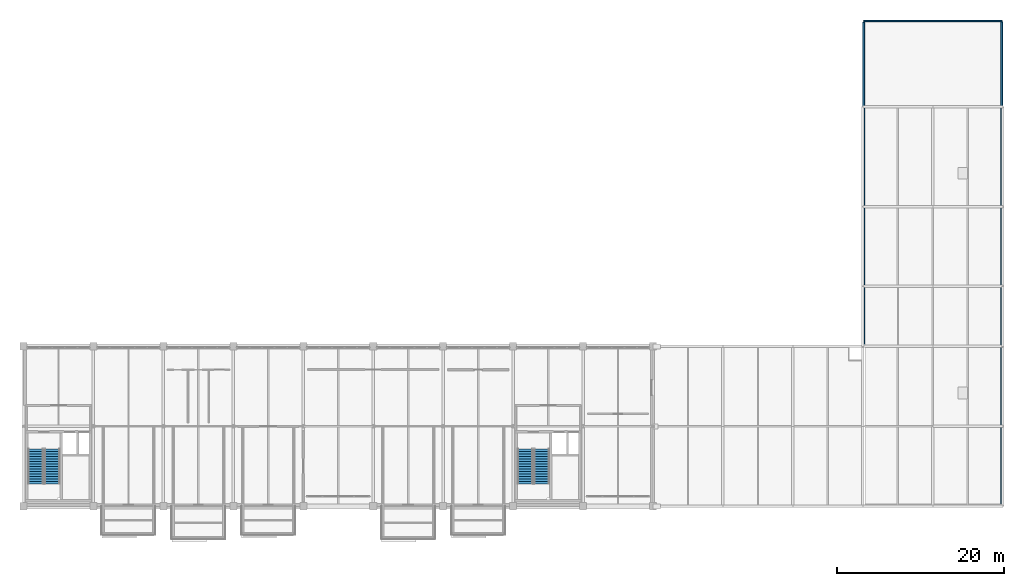
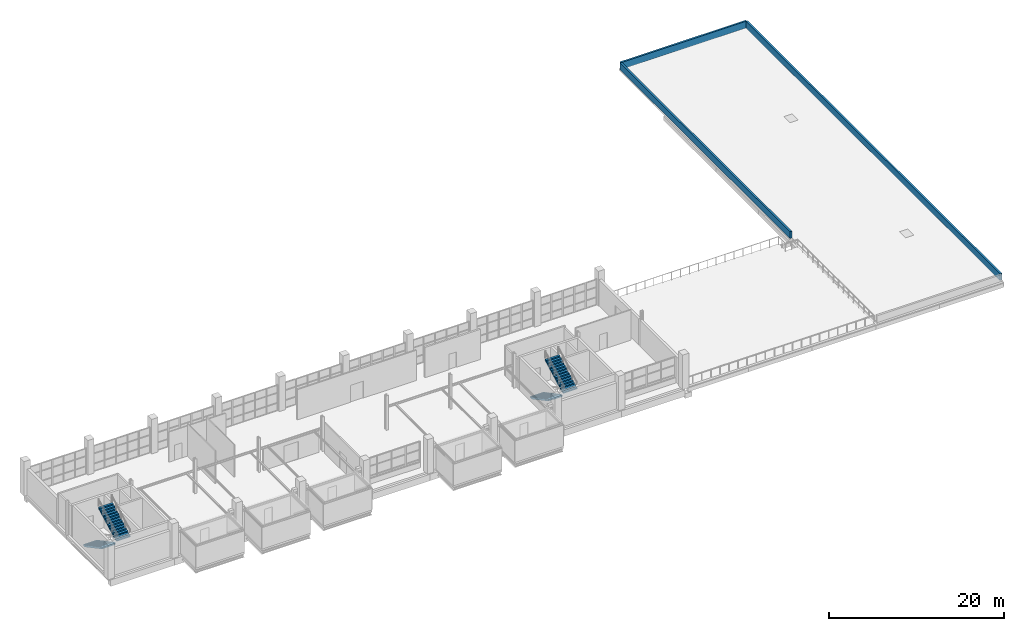
# One storey, part 26 of 29: 4 stair flights, 3 walls, 2 elements without a shape of their own.
"""IFC4 building model written with IfcOpenShell, lengths in metres."""

import ifcopenshell
import ifcopenshell.guid

model = None  # the IFC model being written
_history = None  # IfcOwnerHistory: only IFC2X3 demands one
_inside = {}  # id of a spatial element -> (the spatial element, [elements in it])
_under = {}  # id of a project, library or spatial element -> (it, [spatial elements below it])
_declared = {}  # id of a project -> (the project, [libraries it declares])
_typed = {}  # id of a type object -> (the type object, [elements of that type])
_made_of = {}  # id of a material, layer set ... -> (it, [elements and type objects made of it])


def new_model(schema):
    """Start an empty IFC model of exactly this schema.

    Asked for "IFC4X3", IfcOpenShell would pick the latest addendum, in which some entities
    have other attributes; the version numbers below select the first issue.
    IFC2X3 requires an IfcOwnerHistory on every rooted entity: one is made here for all.
    """
    global model, _history
    if schema == "IFC4X3":
        model = ifcopenshell.file(schema_version=(4, 3, 0, 0))
    else:
        model = ifcopenshell.file(schema=schema)
    _inside.clear()
    _under.clear()
    _declared.clear()
    _typed.clear()
    _made_of.clear()
    _history = None
    if model.schema == "IFC2X3":
        org = make("IfcOrganization", Name="unknown")
        user = make(
            "IfcPersonAndOrganization",
            ThePerson=make("IfcPerson", FamilyName="unknown"),
            TheOrganization=org,
        )
        app = make(
            "IfcApplication",
            ApplicationDeveloper=org,
            Version="unknown",
            ApplicationFullName="unknown",
            ApplicationIdentifier="unknown",
        )
        _history = make(
            "IfcOwnerHistory",
            OwningUser=user,
            OwningApplication=app,
            ChangeAction="ADDED",
            CreationDate=0,
        )
    return model


def make(cls, **values):
    """One entity of the class cls with the attributes given. An attribute that is None is left unset."""
    return model.create_entity(
        cls, **{name: value for name, value in values.items() if value is not None}
    )


def rooted(cls, **values):
    """An entity with a GlobalId (a new one), such as an element, a storey or a relation."""
    return make(cls, GlobalId=ifcopenshell.guid.new(), OwnerHistory=_history, **values)


def si_unit(unit_type, name, prefix=None):
    """IfcSIUnit, for example si_unit("LENGTHUNIT", "METRE", prefix="MILLI")."""
    return make("IfcSIUnit", UnitType=unit_type, Prefix=prefix, Name=name)


def assignment(units):
    """IfcUnitAssignment: the units of a project."""
    return None if units is None else make("IfcUnitAssignment", Units=units)


def point(xyz):
    """IfcCartesianPoint."""
    return None if xyz is None else make("IfcCartesianPoint", Coordinates=xyz)


def direction(xyz):
    """IfcDirection."""
    return None if xyz is None else make("IfcDirection", DirectionRatios=xyz)


def frame(location, z_axis=None, x_axis=None):
    """IfcAxis2Placement3D, a coordinate frame: its origin and axes. An axis left out is left unset."""
    return make(
        "IfcAxis2Placement3D",
        Location=point(location),
        Axis=direction(z_axis),
        RefDirection=direction(x_axis),
    )


def frame_2d(location, x_axis=None):
    """IfcAxis2Placement2D, a coordinate frame in the plane: its origin and x axis."""
    return make(
        "IfcAxis2Placement2D", Location=point(location), RefDirection=direction(x_axis)
    )


def origin():
    """The frame at (0, 0, 0) with its axes left unset."""
    return frame((0.0, 0.0, 0.0))


def place(relative_to, where):
    """IfcLocalPlacement: puts the frame where relative to a parent placement (None: the world)."""
    return make(
        "IfcLocalPlacement", PlacementRelTo=relative_to, RelativePlacement=where
    )


def context(
    kind, dimensions, precision=None, world=None, true_north=None, identifier=None
):
    """IfcGeometricRepresentationContext, for example the 3D "Model" context."""
    return make(
        "IfcGeometricRepresentationContext",
        ContextIdentifier=identifier,
        ContextType=kind,
        CoordinateSpaceDimension=dimensions,
        Precision=precision,
        WorldCoordinateSystem=world,
        TrueNorth=true_north,
    )


def subcontext(parent, identifier, kind, view, scale=None):
    """IfcGeometricRepresentationSubContext, for example "Body" below "Model"."""
    return make(
        "IfcGeometricRepresentationSubContext",
        ContextIdentifier=identifier,
        ContextType=kind,
        ParentContext=parent,
        TargetScale=scale,
        TargetView=view,
    )


def project(units=None, contexts=None):
    """IfcProject with its units and contexts."""
    return rooted(
        "IfcProject",
        Name="project",
        RepresentationContexts=contexts,
        UnitsInContext=assignment(units),
    )


def spatial(cls, under=None, at=None, **own):
    """A site, building, storey or space (cls), placed at a placement, below another one or the project."""
    s = rooted(cls, ObjectPlacement=at, **own)
    if under is not None:
        _under.setdefault(under.id(), (under, []))[1].append(s)
    return s


def polyline(points):
    """IfcPolyline through the points."""
    return make("IfcPolyline", Points=[point(p) for p in points])


def profile(cls, at=None, kind="AREA", **sizes):
    """A parametric profile (cls). Its sizes go by their IFC names, for example OverallWidth=200.0."""
    return make(cls, ProfileType=kind, Position=at, **sizes)


def rectangle(**sizes):
    """IfcRectangleProfileDef."""
    return profile("IfcRectangleProfileDef", **sizes)


def outline(outer, holes=None, kind="AREA"):
    """IfcArbitraryClosedProfileDef: a profile drawn as a closed curve; with holes, ...WithVoids."""
    if holes is None:
        return make("IfcArbitraryClosedProfileDef", ProfileType=kind, OuterCurve=outer)
    return make(
        "IfcArbitraryProfileDefWithVoids",
        ProfileType=kind,
        OuterCurve=outer,
        InnerCurves=holes,
    )


def extrude(swept, where, along, depth):
    """IfcExtrudedAreaSolid: the profile swept, set in the frame where, extruded along a direction by depth."""
    return make(
        "IfcExtrudedAreaSolid",
        SweptArea=swept,
        Position=where,
        ExtrudedDirection=direction(along),
        Depth=depth,
    )


def shape(context_of_items, identifier, shape_type, items):
    """IfcShapeRepresentation: the items that make up one representation, for example the "Body"."""
    return make(
        "IfcShapeRepresentation",
        ContextOfItems=context_of_items,
        RepresentationIdentifier=identifier,
        RepresentationType=shape_type,
        Items=items,
    )


def material(Name=None, Category=None):
    """IfcMaterial."""
    return make("IfcMaterial", Name=Name, Category=Category)


def layer(
    of_material, thickness, ventilated=None, Name=None, Category=None, Priority=None
):
    """IfcMaterialLayer: one layer of a wall or slab, of a material (None: an air gap)."""
    return make(
        "IfcMaterialLayer",
        Material=of_material,
        LayerThickness=thickness,
        IsVentilated=ventilated,
        Name=Name,
        Category=Category,
        Priority=Priority,
    )


def layer_set(layers, Name=None):
    """IfcMaterialLayerSet."""
    return make("IfcMaterialLayerSet", MaterialLayers=layers, LayerSetName=Name)


def made_of(thing, what):
    """Note that an element or type object is made of a material, layer set ...; save() writes the relation."""
    if what is not None:
        _made_of.setdefault(what.id(), (what, []))[1].append(thing)
    return thing


def type_object(cls, material=None, **own):
    """A type object (cls), such as IfcWallType, which elements share."""
    return made_of(rooted(cls, **own), material)


def element(
    cls,
    number,
    at=None,
    inside=None,
    cuts=None,
    type_object=None,
    material=None,
    context=None,
    identifier="Body",
    shape_type=None,
    held_by="IfcProductDefinitionShape",
    body=None,
    shapes=None,
    **own,
):
    """One element of the class cls, such as IfcWall. Its Tag is "e" and its number.

    at: its placement. inside: the storey or other place that contains it. cuts: it is an
    opening in that element (IfcRelVoidsElement). A single representation is given by context,
    identifier, shape_type and body (its items); several are given by shapes. held_by: the class
    of the entity that holds the representations. save() writes the other relations.
    """
    e = rooted(cls, Tag="e%d" % number, ObjectPlacement=at, **own)
    if body is not None:
        shapes = [shape(context, identifier, shape_type, body)]
    if shapes is not None:
        e.Representation = make(held_by, Representations=shapes)
    if inside is not None:
        _inside.setdefault(inside.id(), (inside, []))[1].append(e)
    if cuts is not None:
        rooted(
            "IfcRelVoidsElement", RelatingBuildingElement=cuts, RelatedOpeningElement=e
        )
    if type_object is not None:
        _typed.setdefault(type_object.id(), (type_object, []))[1].append(e)
    return made_of(e, material)


def aggregate(whole, parts):
    """IfcRelAggregates: a whole, such as a stair, and the parts it consists of."""
    return rooted("IfcRelAggregates", RelatingObject=whole, RelatedObjects=parts)


def save(model, path):
    """Write the relations noted so far, then the file.

    IfcRelAggregates (storeys below a building ...), IfcRelContainedInSpatialStructure (elements
    in a storey), IfcRelDefinesByType, IfcRelAssociatesMaterial and IfcRelDeclares: one each for
    every whole, place, type object, material and project.
    """
    for whole, parts in _under.values():
        aggregate(whole, parts)
    for where, things in _inside.values():
        rooted(
            "IfcRelContainedInSpatialStructure",
            RelatedElements=things,
            RelatingStructure=where,
        )
    for kind, things in _typed.values():
        rooted("IfcRelDefinesByType", RelatedObjects=things, RelatingType=kind)
    for what, things in _made_of.values():
        rooted("IfcRelAssociatesMaterial", RelatedObjects=things, RelatingMaterial=what)
    for by, libraries in _declared.values():
        rooted("IfcRelDeclares", RelatingContext=by, RelatedDefinitions=libraries)
    model.write(path)


model = new_model("IFC4")

# Units and contexts
model_context = context("Model", 3, precision=1e-05, world=origin(), true_north=direction((0.0, 1.0)))
body_context = subcontext(model_context, "Body", "Model", "MODEL_VIEW")
ifc_project = project(units=[si_unit("LENGTHUNIT", "METRE"), si_unit("AREAUNIT", "SQUARE_METRE"), si_unit("VOLUMEUNIT", "CUBIC_METRE"), si_unit("PLANEANGLEUNIT", "RADIAN"), si_unit("MASSUNIT", "GRAM", prefix="KILO")], contexts=[model_context])

# Site, building, storey
site_placement = place(None, origin())
site = spatial("IfcSite", under=ifc_project, at=site_placement, CompositionType="ELEMENT")
building_placement = place(site_placement, origin())
building = spatial("IfcBuilding", under=site, at=building_placement, Name="Veltarok Museum of Natural Sciences", CompositionType="ELEMENT")
storey_placement = place(building_placement, frame((0.0, 0.0, 26.39990234375)))
storey = spatial("IfcBuildingStorey", under=building, at=storey_placement, Name="L05", CompositionType="ELEMENT", Elevation=26.39990234375)

# Walls
ifc_material = material(Name="Precast concrete C40/50", Category="concrete")
ifc_layer = layer(ifc_material, 0.239990234375)
ifc_layer_set = layer_set([ifc_layer], Name="Precast concrete C40/50")
wall_type = type_object("IfcWallType", Name="Flat Roof Concrete Parapet Wall 240", PredefinedType="PARAPET", material=ifc_layer_set)
wall_1_placement = place(storey_placement, frame((149.080078125, 0.239990234375, 0.0), z_axis=(0.0, 0.0, 1.0), x_axis=(0.0, 1.0, 0.0)))
element("IfcWall", 1, at=wall_1_placement, inside=storey, type_object=wall_type, Name="Roof Parapet Wall L05-19", PredefinedType="PARAPET", context=body_context, shape_type="SweptSolid", body=[
    extrude(rectangle(XDim=57.919921875, YDim=0.239990234375, at=frame_2d((28.9599609375, 0.0))), origin(), (0.0, 0.0, 1.0), 0.9501953125),
])
wall_2_placement = place(storey_placement, frame((132.52001953125, 58.280029296875, 0.0), z_axis=(0.0, 0.0, 1.0), x_axis=(1.0, 0.0, 0.0)))
element("IfcWall", 2, at=wall_2_placement, inside=storey, type_object=wall_type, Name="Roof Parapet Wall L05-20", PredefinedType="PARAPET", context=body_context, shape_type="SweptSolid", body=[
    extrude(rectangle(XDim=16.56005859375, YDim=0.239990234375, at=frame_2d((8.280029296875, 0.0))), origin(), (0.0, 0.0, 1.0), 0.9501953125),
])
wall_3_placement = place(storey_placement, frame((132.52001953125, 19.43994140625, 0.0), z_axis=(0.0, 0.0, 1.0), x_axis=(0.0, 1.0, 0.0)))
element("IfcWall", 3, at=wall_3_placement, inside=storey, type_object=wall_type, Name="Roof Parapet Wall L05-21", PredefinedType="PARAPET", context=body_context, shape_type="SweptSolid", body=[
    extrude(rectangle(XDim=38.719970703125, YDim=0.239990234375, at=frame_2d((19.35986328125, 0.0))), origin(), (0.0, 0.0, 1.0), 0.9501953125),
])

# Stair, stair flights
stair_type = type_object("IfcStairType", Name="Protected Half-Turn Escape Stair H4800", PredefinedType="HALF_TURN_STAIR", material=ifc_material)
stair_1_placement = place(storey_placement, origin())
stair_1 = element("IfcStair", 4, at=stair_1_placement, inside=storey, type_object=stair_type, Name="Protected Escape Stair ST-01-L05", PredefinedType="HALF_TURN_STAIR")
stair_flight_type = type_object("IfcStairFlightType", Name="Protected Escape Stair Flight W1820", PredefinedType="STRAIGHT", material=ifc_material)
stair_flight_1_placement = place(storey_placement, frame((33.06005859375, 6.89990234375, 0.0), z_axis=(0.0, 0.0, 1.0), x_axis=(0.0, -1.0, 0.0)))
stair_flight_1 = element("IfcStairFlight", 5, at=stair_flight_1_placement, type_object=stair_flight_type, Name="ST-01-L05 flight 1", NumberOfRisers=15, NumberOfTreads=14, PredefinedType="STRAIGHT", RiserHeight=0.16, TreadLength=0.3, context=body_context, shape_type="SweptSolid", body=[
    extrude(outline(polyline([(0.0, 0.0), (0.0, 0.159912109375), (0.300048828125, 0.159912109375), (0.300048828125, 0.320068359375), (0.60009765625, 0.320068359375), (0.60009765625, 0.47998046875), (0.89990234375, 0.47998046875), (0.89990234375, 0.639892578125), (1.199951171875, 0.639892578125), (1.199951171875, 0.800048828125), (1.5, 0.800048828125), (1.5, 0.9599609375), (1.800048828125, 0.9599609375), (1.800048828125, 1.1201171875), (2.10009765625, 1.1201171875), (2.10009765625, 1.280029296875), (2.39990234375, 1.280029296875), (2.39990234375, 1.43994140625), (2.699951171875, 1.43994140625), (2.699951171875, 1.60009765625), (3.0, 1.60009765625), (3.0, 1.760009765625), (3.300048828125, 1.760009765625), (3.300048828125, 1.919921875), (3.60009765625, 1.919921875), (3.60009765625, 2.080078125), (3.89990234375, 2.080078125), (3.89990234375, 2.239990234375), (4.199951171875, 2.239990234375), (4.199951171875, 2.39990234375), (4.199951171875, 2.0361328125), (0.38232421875, 0.0), (0.0, 0.0)])), frame((0.0, 0.91015625, 0.0), z_axis=(0.0, -1.0, 0.0), x_axis=(1.0, 0.0, 0.0)), (0.0, 0.0, 1.0), 1.820068359375),
])
stair_flight_2_placement = place(storey_placement, frame((35.0400390625, 2.699951171875, 2.400146484375), z_axis=(0.0, 0.0, 1.0), x_axis=(0.0, 1.0, 0.0)))
stair_flight_2 = element("IfcStairFlight", 6, at=stair_flight_2_placement, type_object=stair_flight_type, Name="ST-01-L05 flight 2", NumberOfRisers=15, NumberOfTreads=14, PredefinedType="STRAIGHT", RiserHeight=0.16, TreadLength=0.3, context=body_context, shape_type="SweptSolid", body=[
    extrude(outline(polyline([(0.0, 0.0), (0.0, 0.159912109375), (0.300048828125, 0.159912109375), (0.300048828125, 0.320068359375), (0.60009765625, 0.320068359375), (0.60009765625, 0.47998046875), (0.89990234375, 0.47998046875), (0.89990234375, 0.639892578125), (1.199951171875, 0.639892578125), (1.199951171875, 0.800048828125), (1.5, 0.800048828125), (1.5, 0.9599609375), (1.800048828125, 0.9599609375), (1.800048828125, 1.1201171875), (2.10009765625, 1.1201171875), (2.10009765625, 1.280029296875), (2.39990234375, 1.280029296875), (2.39990234375, 1.43994140625), (2.699951171875, 1.43994140625), (2.699951171875, 1.60009765625), (3.0, 1.60009765625), (3.0, 1.760009765625), (3.300048828125, 1.760009765625), (3.300048828125, 1.919921875), (3.60009765625, 1.919921875), (3.60009765625, 2.080078125), (3.89990234375, 2.080078125), (3.89990234375, 2.239990234375), (4.199951171875, 2.239990234375), (4.199951171875, 2.39990234375), (4.199951171875, 2.0361328125), (0.38232421875, 0.0), (0.0, 0.0)])), frame((0.0, 0.91015625, 0.0), z_axis=(0.0, -1.0, 0.0), x_axis=(1.0, 0.0, 0.0)), (0.0, 0.0, 1.0), 1.820068359375),
])
aggregate(stair_1, [stair_flight_1, stair_flight_2])

stair_2_placement = place(storey_placement, origin())
stair_2 = element("IfcStair", 7, at=stair_2_placement, inside=storey, type_object=stair_type, Name="Protected Escape Stair ST-02-L05", PredefinedType="HALF_TURN_STAIR")
stair_flight_3_placement = place(storey_placement, frame((91.860107421875, 6.89990234375, 0.0), z_axis=(0.0, 0.0, 1.0), x_axis=(0.0, -1.0, 0.0)))
stair_flight_3 = element("IfcStairFlight", 8, at=stair_flight_3_placement, type_object=stair_flight_type, Name="ST-02-L05 flight 1", NumberOfRisers=15, NumberOfTreads=14, PredefinedType="STRAIGHT", RiserHeight=0.16, TreadLength=0.3, context=body_context, shape_type="SweptSolid", body=[
    extrude(outline(polyline([(0.0, 0.0), (0.0, 0.159912109375), (0.300048828125, 0.159912109375), (0.300048828125, 0.320068359375), (0.60009765625, 0.320068359375), (0.60009765625, 0.47998046875), (0.89990234375, 0.47998046875), (0.89990234375, 0.639892578125), (1.199951171875, 0.639892578125), (1.199951171875, 0.800048828125), (1.5, 0.800048828125), (1.5, 0.9599609375), (1.800048828125, 0.9599609375), (1.800048828125, 1.1201171875), (2.10009765625, 1.1201171875), (2.10009765625, 1.280029296875), (2.39990234375, 1.280029296875), (2.39990234375, 1.43994140625), (2.699951171875, 1.43994140625), (2.699951171875, 1.60009765625), (3.0, 1.60009765625), (3.0, 1.760009765625), (3.300048828125, 1.760009765625), (3.300048828125, 1.919921875), (3.60009765625, 1.919921875), (3.60009765625, 2.080078125), (3.89990234375, 2.080078125), (3.89990234375, 2.239990234375), (4.199951171875, 2.239990234375), (4.199951171875, 2.39990234375), (4.199951171875, 2.0361328125), (0.38232421875, 0.0), (0.0, 0.0)])), frame((0.0, 0.91015625, 0.0), z_axis=(0.0, -1.0, 0.0), x_axis=(1.0, 0.0, 0.0)), (0.0, 0.0, 1.0), 1.820068359375),
])
stair_flight_4_placement = place(storey_placement, frame((93.840087890625, 2.699951171875, 2.400146484375), z_axis=(0.0, 0.0, 1.0), x_axis=(0.0, 1.0, 0.0)))
stair_flight_4 = element("IfcStairFlight", 9, at=stair_flight_4_placement, type_object=stair_flight_type, Name="ST-02-L05 flight 2", NumberOfRisers=15, NumberOfTreads=14, PredefinedType="STRAIGHT", RiserHeight=0.16, TreadLength=0.3, context=body_context, shape_type="SweptSolid", body=[
    extrude(outline(polyline([(0.0, 0.0), (0.0, 0.159912109375), (0.300048828125, 0.159912109375), (0.300048828125, 0.320068359375), (0.60009765625, 0.320068359375), (0.60009765625, 0.47998046875), (0.89990234375, 0.47998046875), (0.89990234375, 0.639892578125), (1.199951171875, 0.639892578125), (1.199951171875, 0.800048828125), (1.5, 0.800048828125), (1.5, 0.9599609375), (1.800048828125, 0.9599609375), (1.800048828125, 1.1201171875), (2.10009765625, 1.1201171875), (2.10009765625, 1.280029296875), (2.39990234375, 1.280029296875), (2.39990234375, 1.43994140625), (2.699951171875, 1.43994140625), (2.699951171875, 1.60009765625), (3.0, 1.60009765625), (3.0, 1.760009765625), (3.300048828125, 1.760009765625), (3.300048828125, 1.919921875), (3.60009765625, 1.919921875), (3.60009765625, 2.080078125), (3.89990234375, 2.080078125), (3.89990234375, 2.239990234375), (4.199951171875, 2.239990234375), (4.199951171875, 2.39990234375), (4.199951171875, 2.0361328125), (0.38232421875, 0.0), (0.0, 0.0)])), frame((0.0, 0.91015625, 0.0), z_axis=(0.0, -1.0, 0.0), x_axis=(1.0, 0.0, 0.0)), (0.0, 0.0, 1.0), 1.820068359375),
])
aggregate(stair_2, [stair_flight_3, stair_flight_4])

save(model, "model.ifc")
